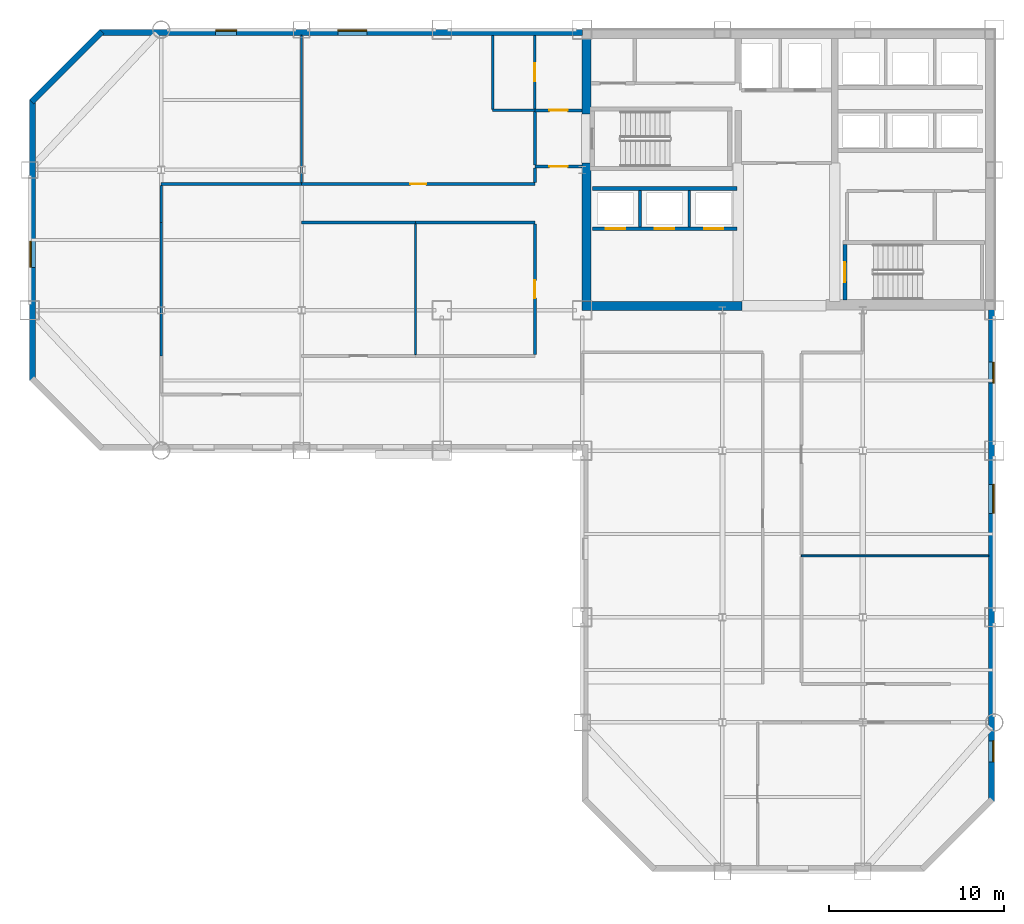
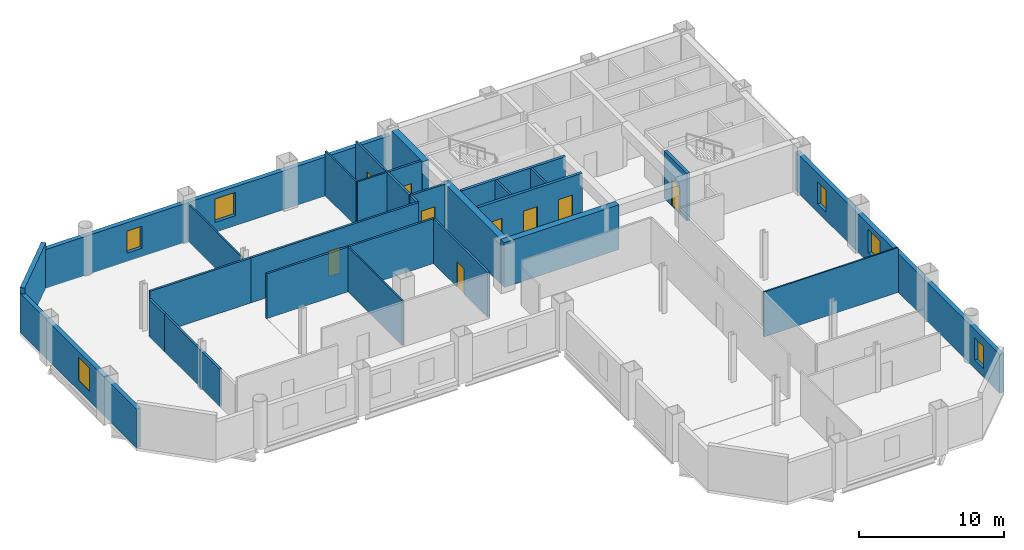
# One storey, part 6 of 9: 29 walls, 9 doors, 6 windows, 15 openings.
"""IFC4 building model written with IfcOpenShell, lengths in metres."""

from ifc_helpers import new_model, si_unit, direction, frame, frame_2d, origin, place, context, subcontext, project, spatial, rectangle, extrude, material, layer, layer_set, type_object, element, fill, save


model = new_model("IFC4")

# Units and contexts
model_context = context("Model", 3, precision=1e-05, world=origin(), true_north=direction((0.0, 1.0)))
body_context = subcontext(model_context, "Body", "Model", "MODEL_VIEW")
ifc_project = project(units=[si_unit("LENGTHUNIT", "METRE"), si_unit("AREAUNIT", "SQUARE_METRE"), si_unit("VOLUMEUNIT", "CUBIC_METRE"), si_unit("PLANEANGLEUNIT", "RADIAN"), si_unit("MASSUNIT", "GRAM", prefix="KILO")], contexts=[model_context])

# Site, building, storey
site_placement = place(None, origin())
site = spatial("IfcSite", under=ifc_project, at=site_placement, CompositionType="ELEMENT")
building_placement = place(site_placement, origin())
building = spatial("IfcBuilding", under=site, at=building_placement, Name="Qianrong Seaharbour Tower", CompositionType="ELEMENT")
storey_placement = place(building_placement, frame((0.0, 0.0, 147.0)))
storey = spatial("IfcBuildingStorey", under=building, at=storey_placement, Name="L35", CompositionType="ELEMENT", Elevation=147.0)

# Walls
ifc_material_1 = material(Name="Concrete C60/75", Category="concrete")
ifc_layer_1 = layer(ifc_material_1, 0.5)
ifc_layer_set_1 = layer_set([ifc_layer_1], Name="Concrete C60/75")
wall_type_1 = type_object("IfcWallType", Name="WALL-CORE-500", PredefinedType="SHEAR", material=ifc_layer_set_1)
wall_1_placement = place(storey_placement, frame((40.75, 36.5, 0.0), z_axis=(0.0, 0.0, 1.0), x_axis=(0.0, 1.0, 0.0)))
element("IfcWall", 1, at=wall_1_placement, inside=storey, type_object=wall_type_1, Name="L35 West Core Shear Wall South", PredefinedType="SHEAR", context=body_context, shape_type="SweptSolid", body=[
    extrude(rectangle(XDim=7.89990234375, YDim=0.5, at=frame_2d((3.949951171875, 0.0))), origin(), (0.0, 0.0, 1.0), 3.764892578125),
])
wall_2_placement = place(storey_placement, frame((40.75, 47.199951171875, 0.0), z_axis=(0.0, 0.0, 1.0), x_axis=(0.0, 1.0, 0.0)))
element("IfcWall", 2, at=wall_2_placement, inside=storey, type_object=wall_type_1, Name="L35 West Core Shear Wall North", PredefinedType="SHEAR", context=body_context, shape_type="SweptSolid", body=[
    extrude(rectangle(XDim=4.300048828125, YDim=0.5, at=frame_2d((2.14990234375, 0.0))), origin(), (0.0, 0.0, 1.0), 3.764892578125),
])
wall_3_placement = place(storey_placement, frame((40.5, 36.25, 0.0), z_axis=(0.0, 0.0, 1.0), x_axis=(1.0, 0.0, 0.0)))
element("IfcWall", 3, at=wall_3_placement, inside=storey, type_object=wall_type_1, Name="L35 South Core Shear Wall S1", PredefinedType="SHEAR", context=body_context, shape_type="SweptSolid", body=[
    extrude(rectangle(XDim=9.10009765625, YDim=0.5, at=frame_2d((4.550048828125, 0.0))), origin(), (0.0, 0.0, 1.0), 3.764892578125),
])

# Wall, opening, door
ifc_material_2 = material(Name="Fire-rated acoustic gypsum board partition")
ifc_layer_2 = layer(ifc_material_2, 0.1650390625)
ifc_layer_set_2 = layer_set([ifc_layer_2], Name="Fire-rated acoustic gypsum board partition")
wall_type_2 = type_object("IfcWallType", Name="WALL-CORR-PART-165", PredefinedType="PARTITIONING", material=ifc_layer_set_2)
wall_4_placement = place(storey_placement, frame((37.800048828125, 47.39990234375, 0.0), z_axis=(0.0, 0.0, 1.0), x_axis=(1.0, 0.0, 0.0)))
wall_4 = element("IfcWall", 4, at=wall_4_placement, inside=storey, type_object=wall_type_2, Name="L35 Interior Partition Wall 001", PredefinedType="PARTITIONING", context=body_context, shape_type="SweptSolid", body=[
    extrude(rectangle(XDim=2.699951171875, YDim=0.1650390625, at=frame_2d((1.35009765625, 0.0))), origin(), (0.0, 0.0, 1.0), 3.764892578125),
])
opening_1_placement = place(wall_4_placement, frame((0.824951171875, 0.0, 0.0)))
opening_1 = element("IfcOpeningElement", 5, at=opening_1_placement, cuts=wall_4, Name="Opening DC-01", PredefinedType="OPENING", context=body_context, shape_type="SweptSolid", body=[
    extrude(rectangle(XDim=1.050048828125, YDim=2.14990234375, at=frame_2d((0.52490234375, 1.074951171875))), frame((0.0, 0.092529296875, 0.0), z_axis=(0.0, -1.0, 0.0), x_axis=(1.0, 0.0, 0.0)), (0.0, 0.0, 1.0), 0.18505859375),
])
ifc_material_3 = material(Name="Acoustic timber and galvanized steel fire door assembly", Category="steel")
door_type_1 = type_object("IfcDoorType", Name="DOOR-CORR-FD60-1050x2150", OperationType="NOTDEFINED", PredefinedType="DOOR", material=ifc_material_3)
door_1_placement = place(opening_1_placement, origin())
door_1 = element("IfcDoor", 6, at=door_1_placement, inside=storey, type_object=door_type_1, Name="L35 Smokeproof Stair Vestibule ST-1 Door", OperationType="SINGLE_SWING_RIGHT", OverallHeight=2.14990234375, OverallWidth=1.050048828125, PredefinedType="DOOR", context=body_context, shape_type="SweptSolid", body=[
    extrude(rectangle(XDim=1.050048828125, YDim=2.14990234375, at=frame_2d((0.52490234375, 1.074951171875))), frame((0.0, 0.02490234375, 0.0), z_axis=(0.0, -1.0, 0.0), x_axis=(1.0, 0.0, 0.0)), (0.0, 0.0, 1.0), 0.050048828125),
])
fill(opening_1, door_1)

wall_5_placement = place(storey_placement, frame((40.5, 44.199951171875, 0.0), z_axis=(0.0, 0.0, 1.0), x_axis=(-1.0, 0.0, 0.0)))
wall_5 = element("IfcWall", 7, at=wall_5_placement, inside=storey, type_object=wall_type_2, Name="L35 Interior Partition Wall 002", PredefinedType="PARTITIONING", context=body_context, shape_type="SweptSolid", body=[
    extrude(rectangle(XDim=2.699951171875, YDim=0.1650390625, at=frame_2d((1.35009765625, 0.0))), origin(), (0.0, 0.0, 1.0), 3.764892578125),
])
opening_2_placement = place(wall_5_placement, frame((0.824951171875, 0.0, 0.0)))
opening_2 = element("IfcOpeningElement", 8, at=opening_2_placement, cuts=wall_5, Name="Opening DC-01", PredefinedType="OPENING", context=body_context, shape_type="SweptSolid", body=[
    extrude(rectangle(XDim=1.050048828125, YDim=2.14990234375, at=frame_2d((0.52490234375, 1.074951171875))), frame((0.0, 0.092529296875, 0.0), z_axis=(0.0, -1.0, 0.0), x_axis=(1.0, 0.0, 0.0)), (0.0, 0.0, 1.0), 0.18505859375),
])
door_2_placement = place(opening_2_placement, origin())
door_2 = element("IfcDoor", 9, at=door_2_placement, inside=storey, type_object=door_type_1, Name="L35 Smokeproof Stair Vestibule ST-1 Door", OperationType="SINGLE_SWING_LEFT", OverallHeight=2.14990234375, OverallWidth=1.050048828125, PredefinedType="DOOR", context=body_context, shape_type="SweptSolid", body=[
    extrude(rectangle(XDim=1.050048828125, YDim=2.14990234375, at=frame_2d((0.52490234375, 1.074951171875))), frame((0.0, 0.02490234375, 0.0), z_axis=(0.0, -1.0, 0.0), x_axis=(1.0, 0.0, 0.0)), (0.0, 0.0, 1.0), 0.050048828125),
])
fill(opening_2, door_2)

# Walls
wall_6_placement = place(storey_placement, frame((37.800048828125, 44.2744140625, 0.0), z_axis=(0.0, 0.0, 1.0), x_axis=(0.0, 1.0, 0.0)))
element("IfcWall", 10, at=wall_6_placement, inside=storey, type_object=wall_type_2, Name="L35 Interior Partition Wall 003", PredefinedType="PARTITIONING", context=body_context, shape_type="SweptSolid", body=[
    extrude(rectangle(XDim=3.051025390625, YDim=0.1650390625, at=frame_2d((1.525390625, 0.0))), origin(), (0.0, 0.0, 1.0), 3.764892578125),
])
wall_7_placement = place(storey_placement, frame((16.5, 41.0, 0.0), z_axis=(0.0, 0.0, 1.0), x_axis=(0.0, 1.0, 0.0)))
element("IfcWall", 11, at=wall_7_placement, inside=storey, type_object=wall_type_2, Name="L35 Interior Partition Wall 019", PredefinedType="PARTITIONING", context=body_context, shape_type="SweptSolid", body=[
    extrude(rectangle(XDim=2.12548828125, YDim=0.1650390625, at=frame_2d((1.062744140625, 0.0))), origin(), (0.0, 0.0, 1.0), 3.156982421875),
])
wall_8_placement = place(storey_placement, frame((16.5, 43.199951171875, 0.0), z_axis=(0.0, 0.0, 1.0), x_axis=(1.0, 0.0, 0.0)))
element("IfcWall", 12, at=wall_8_placement, inside=storey, type_object=wall_type_2, Name="L35 Interior Partition Wall 020", PredefinedType="PARTITIONING", context=body_context, shape_type="SweptSolid", body=[
    extrude(rectangle(XDim=8.0, YDim=0.1650390625, at=frame_2d((4.0, 0.0))), origin(), (0.0, 0.0, 1.0), 3.764892578125),
])

# Wall, opening, door
wall_9_placement = place(storey_placement, frame((24.5, 43.199951171875, 0.0), z_axis=(0.0, 0.0, 1.0), x_axis=(1.0, 0.0, 0.0)))
wall_9 = element("IfcWall", 13, at=wall_9_placement, inside=storey, type_object=wall_type_2, Name="L35 Interior Partition Wall 021", PredefinedType="PARTITIONING", context=body_context, shape_type="SweptSolid", body=[
    extrude(rectangle(XDim=13.300048828125, YDim=0.1650390625, at=frame_2d((6.64990234375, 0.0))), origin(), (0.0, 0.0, 1.0), 3.764892578125),
])
opening_3_placement = place(wall_9_placement, frame((6.199951171875, 0.0, 0.0)))
opening_3 = element("IfcOpeningElement", 14, at=opening_3_placement, cuts=wall_9, Name="Opening DS-01", PredefinedType="OPENING", context=body_context, shape_type="SweptSolid", body=[
    extrude(rectangle(XDim=0.89990234375, YDim=2.14990234375, at=frame_2d((0.449951171875, 1.074951171875))), frame((0.0, 0.092529296875, 0.0), z_axis=(0.0, -1.0, 0.0), x_axis=(1.0, 0.0, 0.0)), (0.0, 0.0, 1.0), 0.18505859375),
])
door_type_2 = type_object("IfcDoorType", Name="DOOR-STORE-900x2150", OperationType="NOTDEFINED", PredefinedType="DOOR", material=ifc_material_3)
door_3_placement = place(opening_3_placement, origin())
door_3 = element("IfcDoor", 15, at=door_3_placement, inside=storey, type_object=door_type_2, Name="L35 Corporate Archive Room Door", OperationType="SINGLE_SWING_LEFT", OverallHeight=2.14990234375, OverallWidth=0.89990234375, PredefinedType="DOOR", context=body_context, shape_type="SweptSolid", body=[
    extrude(rectangle(XDim=0.89990234375, YDim=2.14990234375, at=frame_2d((0.449951171875, 1.074951171875))), frame((0.0, 0.02490234375, 0.0), z_axis=(0.0, -1.0, 0.0), x_axis=(1.0, 0.0, 0.0)), (0.0, 0.0, 1.0), 0.050048828125),
])
fill(opening_3, door_3)

# Walls
wall_10_placement = place(storey_placement, frame((31.0, 41.0, 0.0), z_axis=(0.0, 0.0, 1.0), x_axis=(-1.0, 0.0, 0.0)))
element("IfcWall", 16, at=wall_10_placement, inside=storey, type_object=wall_type_2, Name="L35 Interior Partition Wall 022", PredefinedType="PARTITIONING", context=body_context, shape_type="SweptSolid", body=[
    extrude(rectangle(XDim=6.5, YDim=0.1650390625, at=frame_2d((3.25, 0.0))), origin(), (0.0, 0.0, 1.0), 3.764892578125),
])
wall_11_placement = place(storey_placement, frame((37.800048828125, 41.0, 0.0), z_axis=(0.0, 0.0, 1.0), x_axis=(-1.0, 0.0, 0.0)))
element("IfcWall", 17, at=wall_11_placement, inside=storey, type_object=wall_type_2, Name="L35 Interior Partition Wall 023", PredefinedType="PARTITIONING", context=body_context, shape_type="SweptSolid", body=[
    extrude(rectangle(XDim=6.800048828125, YDim=0.1650390625, at=frame_2d((3.39990234375, 0.0))), origin(), (0.0, 0.0, 1.0), 3.764892578125),
])
wall_12_placement = place(storey_placement, frame((16.5, 33.39990234375, 0.0), z_axis=(0.0, 0.0, 1.0), x_axis=(0.0, 1.0, 0.0)))
element("IfcWall", 18, at=wall_12_placement, inside=storey, type_object=wall_type_2, Name="L35 Interior Partition Wall 024", PredefinedType="PARTITIONING", context=body_context, shape_type="SweptSolid", body=[
    extrude(rectangle(XDim=7.60009765625, YDim=0.1650390625, at=frame_2d((3.800048828125, 0.0))), origin(), (0.0, 0.0, 1.0), 3.156982421875),
])
wall_13_placement = place(storey_placement, frame((37.800048828125, 43.2744140625, 0.0), z_axis=(0.0, 0.0, 1.0), x_axis=(0.0, 1.0, 0.0)))
element("IfcWall", 19, at=wall_13_placement, inside=storey, type_object=wall_type_2, Name="L35 Interior Partition Wall 025", PredefinedType="PARTITIONING", context=body_context, shape_type="SweptSolid", body=[
    extrude(rectangle(XDim=0.85107421875, YDim=0.1650390625, at=frame_2d((0.425537109375, 0.0))), origin(), (0.0, 0.0, 1.0), 3.764892578125),
])

# Wall, opening, door
wall_14_placement = place(storey_placement, frame((37.800048828125, 33.474609375, 0.0), z_axis=(0.0, 0.0, 1.0), x_axis=(0.0, 1.0, 0.0)))
wall_14 = element("IfcWall", 20, at=wall_14_placement, inside=storey, type_object=wall_type_2, Name="L35 Interior Partition Wall 026", PredefinedType="PARTITIONING", context=body_context, shape_type="SweptSolid", body=[
    extrude(rectangle(XDim=7.450927734375, YDim=0.1650390625, at=frame_2d((3.7255859375, 0.0))), origin(), (0.0, 0.0, 1.0), 3.764892578125),
])
opening_4_placement = place(wall_14_placement, frame((3.2255859375, 0.0, 0.0)))
opening_4 = element("IfcOpeningElement", 21, at=opening_4_placement, cuts=wall_14, Name="Opening DO-01", PredefinedType="OPENING", context=body_context, shape_type="SweptSolid", body=[
    extrude(rectangle(XDim=1.0, YDim=2.14990234375, at=frame_2d((0.5, 1.074951171875))), frame((0.0, 0.092529296875, 0.0), z_axis=(0.0, -1.0, 0.0), x_axis=(1.0, 0.0, 0.0)), (0.0, 0.0, 1.0), 0.18505859375),
])
door_type_3 = type_object("IfcDoorType", Name="DOOR-OFFICE-1000x2150", OperationType="NOTDEFINED", PredefinedType="DOOR", material=ifc_material_3)
door_4_placement = place(opening_4_placement, origin())
door_4 = element("IfcDoor", 22, at=door_4_placement, inside=storey, type_object=door_type_3, Name="L35 Digital Media Hall 2 Door", OperationType="SINGLE_SWING_LEFT", OverallHeight=2.14990234375, OverallWidth=1.0, PredefinedType="DOOR", context=body_context, shape_type="SweptSolid", body=[
    extrude(rectangle(XDim=1.0, YDim=2.14990234375, at=frame_2d((0.5, 1.074951171875))), frame((0.0, 0.02490234375, 0.0), z_axis=(0.0, -1.0, 0.0), x_axis=(1.0, 0.0, 0.0)), (0.0, 0.0, 1.0), 0.050048828125),
])
fill(opening_4, door_4)

# Walls
ifc_material_4 = material(Name="Demountable aluminium-framed acoustic office partition", Category="aluminium")
ifc_layer_3 = layer(ifc_material_4, 0.110107421875)
ifc_layer_set_3 = layer_set([ifc_layer_3], Name="Demountable aluminium-framed acoustic office partition")
wall_type_3 = type_object("IfcWallType", Name="WALL-DEMOUNT-110", PredefinedType="MOVABLE", material=ifc_layer_set_3)
wall_15_placement = place(storey_placement, frame((24.5, 51.66796875, 0.0), z_axis=(0.0, 0.0, 1.0), x_axis=(0.0, -1.0, 0.0)))
element("IfcWall", 23, at=wall_15_placement, inside=storey, type_object=wall_type_3, Name="L35 Interior Partition Wall 037", PredefinedType="MOVABLE", context=body_context, shape_type="SweptSolid", body=[
    extrude(rectangle(XDim=8.3935546875, YDim=0.110107421875, at=frame_2d((4.19677734375, 0.0))), origin(), (0.0, 0.0, 1.0), 3.156982421875),
])
wall_16_placement = place(storey_placement, frame((31.0, 40.925537109375, 0.0), z_axis=(0.0, 0.0, 1.0), x_axis=(0.0, -1.0, 0.0)))
element("IfcWall", 24, at=wall_16_placement, inside=storey, type_object=wall_type_3, Name="L35 Interior Partition Wall 038", PredefinedType="MOVABLE", context=body_context, shape_type="SweptSolid", body=[
    extrude(rectangle(XDim=7.450927734375, YDim=0.110107421875, at=frame_2d((3.7255859375, 0.0))), origin(), (0.0, 0.0, 1.0), 3.764892578125),
])
wall_17_placement = place(storey_placement, frame((63.66796875, 22.0, 0.0), z_axis=(0.0, 0.0, 1.0), x_axis=(-1.0, 0.0, 0.0)))
element("IfcWall", 25, at=wall_17_placement, inside=storey, type_object=wall_type_3, Name="L35 Interior Partition Wall 039", PredefinedType="MOVABLE", context=body_context, shape_type="SweptSolid", body=[
    extrude(rectangle(XDim=10.66796875, YDim=0.110107421875, at=frame_2d((5.333984375, 0.0))), origin(), (0.0, 0.0, 1.0), 3.764892578125),
])

# Wall, opening, window
ifc_material_5 = material(Name="Unitised buff brick on Precast concrete C45/55", Category="masonry")
ifc_layer_4 = layer(ifc_material_5, 0.340087890625)
ifc_layer_set_4 = layer_set([ifc_layer_4], Name="Unitised buff brick on Precast concrete C45/55")
wall_type_4 = type_object("IfcWallType", Name="WALL-EXT-BRICK-BUFF-340", PredefinedType="SOLIDWALL", material=ifc_layer_set_4)
wall_18_placement = place(storey_placement, frame((9.169921875, 32.0, 0.0), z_axis=(0.0, 0.0, 1.0), x_axis=(0.0, 1.0, 0.0)))
wall_18 = element("IfcWall", 26, at=wall_18_placement, inside=storey, type_object=wall_type_4, Name="L35 Exterior Masonry Facade Wall WEST_TIP", PredefinedType="SOLIDWALL", context=body_context, shape_type="SweptSolid", body=[
    extrude(rectangle(XDim=16.0, YDim=0.340087890625, at=frame_2d((8.0, 0.0))), origin(), (0.0, 0.0, 1.0), 3.264892578125),
])
opening_5_placement = place(wall_18_placement, frame((6.449951171875, 0.0, 0.85009765625)))
opening_5 = element("IfcOpeningElement", 27, at=opening_5_placement, cuts=wall_18, Name="Opening WN-03", PredefinedType="OPENING", context=body_context, shape_type="SweptSolid", body=[
    extrude(rectangle(XDim=1.5, YDim=1.949951171875, at=frame_2d((0.75, 0.97509765625))), frame((0.0, 0.18017578125, 0.0), z_axis=(0.0, -1.0, 0.0), x_axis=(1.0, 0.0, 0.0)), (0.0, 0.0, 1.0), 0.360107421875),
])
ifc_material_6 = material(Name="Insulated low-e double glazing in thermally broken aluminium 6063-T6 frame", Category="aluminium")
window_type_1 = type_object("IfcWindowType", Name="WIN-PUNCH-1500x1950", PartitioningType="DOUBLE_PANEL_VERTICAL", PredefinedType="WINDOW", material=ifc_material_6)
window_1_placement = place(opening_5_placement, origin())
window_1 = element("IfcWindow", 28, at=window_1_placement, inside=storey, type_object=window_type_1, Name="L35 Deep-Set Punched Window 03.02", OverallHeight=1.949951171875, OverallWidth=1.5, PartitioningType="DOUBLE_PANEL_VERTICAL", PredefinedType="WINDOW", context=body_context, shape_type="SweptSolid", body=[
    extrude(rectangle(XDim=1.5, YDim=1.949951171875, at=frame_2d((0.75, 0.97509765625))), frame((0.0, 0.150146484375, 0.0), z_axis=(0.0, -1.0, 0.0), x_axis=(1.0, 0.0, 0.0)), (0.0, 0.0, 1.0), 0.06005859375),
])
fill(opening_5, window_1)

# Wall
wall_19_placement = place(storey_placement, frame((9.1201171875, 47.8798828125, 0.0), z_axis=(0.0, 0.0, 1.0), x_axis=(0.707106781187, 0.707106781187, 0.0)))
element("IfcWall", 29, at=wall_19_placement, inside=storey, type_object=wall_type_4, Name="L35 Exterior Masonry Facade Wall E04", PredefinedType="SOLIDWALL", context=body_context, shape_type="SweptSolid", body=[
    extrude(rectangle(XDim=5.65673828125, YDim=0.340087890625, at=frame_2d((2.828369140625, 0.0))), origin(), (0.0, 0.0, 1.0), 3.764892578125),
])

# Wall, openings, windows
wall_20_placement = place(storey_placement, frame((13.0, 51.830078125, 0.0), z_axis=(0.0, 0.0, 1.0), x_axis=(1.0, 0.0, 0.0)))
wall_20 = element("IfcWall", 30, at=wall_20_placement, inside=storey, type_object=wall_type_4, Name="L35 Exterior Masonry Facade Wall NORTH_WING", PredefinedType="SOLIDWALL", context=body_context, shape_type="SweptSolid", body=[
    extrude(rectangle(XDim=27.52001953125, YDim=0.340087890625, at=frame_2d((13.760009765625, 0.0))), origin(), (0.0, 0.0, 1.0), 3.264892578125),
])
opening_6_placement = place(wall_20_placement, frame((6.60009765625, 0.0, 0.699951171875)))
opening_6 = element("IfcOpeningElement", 31, at=opening_6_placement, cuts=wall_20, Name="Opening WN-01", PredefinedType="OPENING", context=body_context, shape_type="SweptSolid", body=[
    extrude(rectangle(XDim=1.199951171875, YDim=1.85009765625, at=frame_2d((0.60009765625, 0.925048828125))), frame((0.0, 0.18017578125, 0.0), z_axis=(0.0, -1.0, 0.0), x_axis=(1.0, 0.0, 0.0)), (0.0, 0.0, 1.0), 0.360107421875),
])
opening_7_placement = place(wall_20_placement, frame((13.574951171875, 0.0, 0.85009765625)))
opening_7 = element("IfcOpeningElement", 32, at=opening_7_placement, cuts=wall_20, Name="Opening WN-04", PredefinedType="OPENING", context=body_context, shape_type="SweptSolid", body=[
    extrude(rectangle(XDim=1.64990234375, YDim=1.949951171875, at=frame_2d((0.824951171875, 0.97509765625))), frame((0.0, 0.18017578125, 0.0), z_axis=(0.0, -1.0, 0.0), x_axis=(1.0, 0.0, 0.0)), (0.0, 0.0, 1.0), 0.360107421875),
])
window_type_2 = type_object("IfcWindowType", Name="WIN-PUNCH-1200x1850", PartitioningType="DOUBLE_PANEL_VERTICAL", PredefinedType="WINDOW", material=ifc_material_6)
window_2_placement = place(opening_6_placement, origin())
window_2 = element("IfcWindow", 33, at=window_2_placement, inside=storey, type_object=window_type_2, Name="L35 Deep-Set Punched Window 05.02", OverallHeight=1.85009765625, OverallWidth=1.199951171875, PartitioningType="DOUBLE_PANEL_VERTICAL", PredefinedType="WINDOW", context=body_context, shape_type="SweptSolid", body=[
    extrude(rectangle(XDim=1.199951171875, YDim=1.85009765625, at=frame_2d((0.60009765625, 0.925048828125))), frame((0.0, 0.150146484375, 0.0), z_axis=(0.0, -1.0, 0.0), x_axis=(1.0, 0.0, 0.0)), (0.0, 0.0, 1.0), 0.06005859375),
])
fill(opening_6, window_2)
window_type_3 = type_object("IfcWindowType", Name="WIN-PUNCH-1650x1950", PartitioningType="DOUBLE_PANEL_VERTICAL", PredefinedType="WINDOW", material=ifc_material_6)
window_3_placement = place(opening_7_placement, origin())
window_3 = element("IfcWindow", 34, at=window_3_placement, inside=storey, type_object=window_type_3, Name="L35 Deep-Set Punched Window 05.04", OverallHeight=1.949951171875, OverallWidth=1.64990234375, PartitioningType="DOUBLE_PANEL_VERTICAL", PredefinedType="WINDOW", context=body_context, shape_type="SweptSolid", body=[
    extrude(rectangle(XDim=1.64990234375, YDim=1.949951171875, at=frame_2d((0.824951171875, 0.97509765625))), frame((0.0, 0.150146484375, 0.0), z_axis=(0.0, -1.0, 0.0), x_axis=(1.0, 0.0, 0.0)), (0.0, 0.0, 1.0), 0.06005859375),
])
fill(opening_7, window_3)

wall_21_placement = place(storey_placement, frame((63.830078125, 36.050048828125, 0.0), z_axis=(0.0, 0.0, 1.0), x_axis=(0.0, -1.0, 0.0)))
wall_21 = element("IfcWall", 35, at=wall_21_placement, inside=storey, type_object=wall_type_4, Name="L35 Exterior Masonry Facade Wall EAST_WING", PredefinedType="SOLIDWALL", context=body_context, shape_type="SweptSolid", body=[
    extrude(rectangle(XDim=28.050048828125, YDim=0.340087890625, at=frame_2d((14.02490234375, 0.0))), origin(), (0.0, 0.0, 1.0), 3.264892578125),
])
opening_8_placement = place(wall_21_placement, frame((3.0, 0.0, 0.699951171875)))
opening_8 = element("IfcOpeningElement", 36, at=opening_8_placement, cuts=wall_21, Name="Opening WN-01", PredefinedType="OPENING", context=body_context, shape_type="SweptSolid", body=[
    extrude(rectangle(XDim=1.199951171875, YDim=1.85009765625, at=frame_2d((0.60009765625, 0.925048828125))), frame((0.0, 0.18017578125, 0.0), z_axis=(0.0, -1.0, 0.0), x_axis=(1.0, 0.0, 0.0)), (0.0, 0.0, 1.0), 0.360107421875),
])
opening_9_placement = place(wall_21_placement, frame((9.97509765625, 0.0, 0.85009765625)))
opening_9 = element("IfcOpeningElement", 37, at=opening_9_placement, cuts=wall_21, Name="Opening WN-04", PredefinedType="OPENING", context=body_context, shape_type="SweptSolid", body=[
    extrude(rectangle(XDim=1.64990234375, YDim=1.949951171875, at=frame_2d((0.824951171875, 0.97509765625))), frame((0.0, 0.18017578125, 0.0), z_axis=(0.0, -1.0, 0.0), x_axis=(1.0, 0.0, 0.0)), (0.0, 0.0, 1.0), 0.360107421875),
])
opening_10_placement = place(wall_21_placement, frame((24.60009765625, 0.0, 0.699951171875)))
opening_10 = element("IfcOpeningElement", 38, at=opening_10_placement, cuts=wall_21, Name="Opening WN-01", PredefinedType="OPENING", context=body_context, shape_type="SweptSolid", body=[
    extrude(rectangle(XDim=1.199951171875, YDim=1.85009765625, at=frame_2d((0.60009765625, 0.925048828125))), frame((0.0, 0.18017578125, 0.0), z_axis=(0.0, -1.0, 0.0), x_axis=(1.0, 0.0, 0.0)), (0.0, 0.0, 1.0), 0.360107421875),
])
window_4_placement = place(opening_8_placement, origin())
window_4 = element("IfcWindow", 39, at=window_4_placement, inside=storey, type_object=window_type_2, Name="L35 Deep-Set Punched Window 06.01", OverallHeight=1.85009765625, OverallWidth=1.199951171875, PartitioningType="DOUBLE_PANEL_VERTICAL", PredefinedType="WINDOW", context=body_context, shape_type="SweptSolid", body=[
    extrude(rectangle(XDim=1.199951171875, YDim=1.85009765625, at=frame_2d((0.60009765625, 0.925048828125))), frame((0.0, 0.150146484375, 0.0), z_axis=(0.0, -1.0, 0.0), x_axis=(1.0, 0.0, 0.0)), (0.0, 0.0, 1.0), 0.06005859375),
])
fill(opening_8, window_4)
window_5_placement = place(opening_10_placement, origin())
window_5 = element("IfcWindow", 40, at=window_5_placement, inside=storey, type_object=window_type_2, Name="L35 Deep-Set Punched Window 06.07", OverallHeight=1.85009765625, OverallWidth=1.199951171875, PartitioningType="DOUBLE_PANEL_VERTICAL", PredefinedType="WINDOW", context=body_context, shape_type="SweptSolid", body=[
    extrude(rectangle(XDim=1.199951171875, YDim=1.85009765625, at=frame_2d((0.60009765625, 0.925048828125))), frame((0.0, 0.150146484375, 0.0), z_axis=(0.0, -1.0, 0.0), x_axis=(1.0, 0.0, 0.0)), (0.0, 0.0, 1.0), 0.06005859375),
])
fill(opening_10, window_5)
window_6_placement = place(opening_9_placement, origin())
window_6 = element("IfcWindow", 41, at=window_6_placement, inside=storey, type_object=window_type_3, Name="L35 Deep-Set Punched Window 06.03", OverallHeight=1.949951171875, OverallWidth=1.64990234375, PartitioningType="DOUBLE_PANEL_VERTICAL", PredefinedType="WINDOW", context=body_context, shape_type="SweptSolid", body=[
    extrude(rectangle(XDim=1.64990234375, YDim=1.949951171875, at=frame_2d((0.824951171875, 0.97509765625))), frame((0.0, 0.150146484375, 0.0), z_axis=(0.0, -1.0, 0.0), x_axis=(1.0, 0.0, 0.0)), (0.0, 0.0, 1.0), 0.06005859375),
])
fill(opening_9, window_6)

# Walls
ifc_material_7 = material(Name="Fire-rated gypsum board on steel studs", Category="steel")
ifc_layer_5 = layer(ifc_material_7, 0.14990234375)
ifc_layer_set_5 = layer_set([ifc_layer_5], Name="Fire-rated gypsum board on steel studs")
wall_type_5 = type_object("IfcWallType", Name="WALL-SHAFT-DIV-150", PredefinedType="PARTITIONING", material=ifc_layer_set_5)
for number, where, z_axis, x_axis, name in (
    (42, (43.800048828125, 40.760009765625, 0.0), (0.0, 0.0, 1.0), (0.0, 1.0, 0.0), "L35 P2 Lift Hoistway Divider 2"),
    (43, (46.60009765625, 40.760009765625, 0.0), (0.0, 0.0, 1.0), (0.0, 1.0, 0.0), "L35 P2 Lift Hoistway Divider 3"),
):
    element("IfcWall", number, at=place(storey_placement, frame(where, z_axis=z_axis, x_axis=x_axis)), inside=storey, type_object=wall_type_5, Name=name, PredefinedType="PARTITIONING", context=body_context, shape_type="SweptSolid", body=[
        extrude(rectangle(XDim=2.080078125, YDim=0.14990234375, at=frame_2d((1.0400390625, 0.0))), origin(), (0.0, 0.0, 1.0), 3.764892578125),
    ])

# Wall, openings, doors
ifc_layer_6 = layer(ifc_material_7, 0.219970703125)
ifc_layer_set_6 = layer_set([ifc_layer_6], Name="Fire-rated gypsum board on steel studs")
wall_type_6 = type_object("IfcWallType", Name="WALL-SHAFT-GYP220", PredefinedType="PARTITIONING", material=ifc_layer_set_6)
wall_22_placement = place(storey_placement, frame((49.320068359375, 40.64990234375, 0.0), z_axis=(0.0, 0.0, 1.0), x_axis=(-1.0, 0.0, 0.0)))
wall_22 = element("IfcWall", 44, at=wall_22_placement, inside=storey, type_object=wall_type_6, Name="L35 P2 Lift Hoistway Front Wall", PredefinedType="PARTITIONING", context=body_context, shape_type="SweptSolid", body=[
    extrude(rectangle(XDim=8.239990234375, YDim=0.219970703125, at=frame_2d((4.1201171875, 0.0))), origin(), (0.0, 0.0, 1.0), 3.764892578125),
])
opening_11_placement = place(wall_22_placement, frame((6.3701171875, 0.0, 0.0)))
opening_11 = element("IfcOpeningElement", 45, at=opening_11_placement, cuts=wall_22, Name="Opening LD-02", PredefinedType="OPENING", context=body_context, shape_type="SweptSolid", body=[
    extrude(rectangle(XDim=1.10009765625, YDim=2.199951171875, at=frame_2d((0.550048828125, 1.10009765625))), frame((0.0, 0.1201171875, 0.0), z_axis=(0.0, -1.0, 0.0), x_axis=(1.0, 0.0, 0.0)), (0.0, 0.0, 1.0), 0.239990234375),
])
opening_12_placement = place(wall_22_placement, frame((3.570068359375, 0.0, 0.0)))
opening_12 = element("IfcOpeningElement", 46, at=opening_12_placement, cuts=wall_22, Name="Opening LD-02", PredefinedType="OPENING", context=body_context, shape_type="SweptSolid", body=[
    extrude(rectangle(XDim=1.10009765625, YDim=2.199951171875, at=frame_2d((0.550048828125, 1.10009765625))), frame((0.0, 0.1201171875, 0.0), z_axis=(0.0, -1.0, 0.0), x_axis=(1.0, 0.0, 0.0)), (0.0, 0.0, 1.0), 0.239990234375),
])
opening_13_placement = place(wall_22_placement, frame((0.77001953125, 0.0, 0.0)))
opening_13 = element("IfcOpeningElement", 47, at=opening_13_placement, cuts=wall_22, Name="Opening LD-02", PredefinedType="OPENING", context=body_context, shape_type="SweptSolid", body=[
    extrude(rectangle(XDim=1.10009765625, YDim=2.199951171875, at=frame_2d((0.550048828125, 1.10009765625))), frame((0.0, 0.1201171875, 0.0), z_axis=(0.0, -1.0, 0.0), x_axis=(1.0, 0.0, 0.0)), (0.0, 0.0, 1.0), 0.239990234375),
])
ifc_material_8 = material(Name="Stainless steel SUS316L bi-parting lift landing door", Category="steel")
door_type_4 = type_object("IfcDoorType", Name="DOOR-LIFT-PASS-1100x2200", OperationType="DOUBLE_DOOR_SLIDING", PredefinedType="DOOR", material=ifc_material_8)
door_5_placement = place(opening_11_placement, origin())
door_5 = element("IfcDoor", 48, at=door_5_placement, inside=storey, type_object=door_type_4, Name="L35 PL-2A Lift Landing Door", OperationType="DOUBLE_DOOR_SLIDING", OverallHeight=2.199951171875, OverallWidth=1.10009765625, PredefinedType="DOOR", context=body_context, shape_type="SweptSolid", body=[
    extrude(rectangle(XDim=1.10009765625, YDim=2.199951171875, at=frame_2d((0.550048828125, 1.10009765625))), frame((0.0, 0.02490234375, 0.0), z_axis=(0.0, -1.0, 0.0), x_axis=(1.0, 0.0, 0.0)), (0.0, 0.0, 1.0), 0.050048828125),
])
fill(opening_11, door_5)
door_6_placement = place(opening_12_placement, origin())
door_6 = element("IfcDoor", 49, at=door_6_placement, inside=storey, type_object=door_type_4, Name="L35 PL-2B Lift Landing Door", OperationType="DOUBLE_DOOR_SLIDING", OverallHeight=2.199951171875, OverallWidth=1.10009765625, PredefinedType="DOOR", context=body_context, shape_type="SweptSolid", body=[
    extrude(rectangle(XDim=1.10009765625, YDim=2.199951171875, at=frame_2d((0.550048828125, 1.10009765625))), frame((0.0, 0.02490234375, 0.0), z_axis=(0.0, -1.0, 0.0), x_axis=(1.0, 0.0, 0.0)), (0.0, 0.0, 1.0), 0.050048828125),
])
fill(opening_12, door_6)
door_7_placement = place(opening_13_placement, origin())
door_7 = element("IfcDoor", 50, at=door_7_placement, inside=storey, type_object=door_type_4, Name="L35 PL-2C Lift Landing Door", OperationType="DOUBLE_DOOR_SLIDING", OverallHeight=2.199951171875, OverallWidth=1.10009765625, PredefinedType="DOOR", context=body_context, shape_type="SweptSolid", body=[
    extrude(rectangle(XDim=1.10009765625, YDim=2.199951171875, at=frame_2d((0.550048828125, 1.10009765625))), frame((0.0, 0.02490234375, 0.0), z_axis=(0.0, -1.0, 0.0), x_axis=(1.0, 0.0, 0.0)), (0.0, 0.0, 1.0), 0.050048828125),
])
fill(opening_13, door_7)

# Wall
wall_23_placement = place(storey_placement, frame((41.080078125, 42.949951171875, 0.0), z_axis=(0.0, 0.0, 1.0), x_axis=(1.0, 0.0, 0.0)))
element("IfcWall", 51, at=wall_23_placement, inside=storey, type_object=wall_type_6, Name="L35 P2 Lift Hoistway Back Wall", PredefinedType="PARTITIONING", context=body_context, shape_type="SweptSolid", body=[
    extrude(rectangle(XDim=8.239990234375, YDim=0.219970703125, at=frame_2d((4.1201171875, 0.0))), origin(), (0.0, 0.0, 1.0), 3.764892578125),
])

# Wall, opening, door
ifc_material_9 = material(Name="Concrete C50/60", Category="concrete")
ifc_layer_7 = layer(ifc_material_9, 0.239990234375)
ifc_layer_set_7 = layer_set([ifc_layer_7], Name="Concrete C50/60")
wall_type_7 = type_object("IfcWallType", Name="WALL-SHAFT-RC240", PredefinedType="SOLIDWALL", material=ifc_layer_set_7)
wall_24_placement = place(storey_placement, frame((55.47998046875, 39.75, 0.0), z_axis=(0.0, 0.0, 1.0), x_axis=(0.0, -1.0, 0.0)))
wall_24 = element("IfcWall", 52, at=wall_24_placement, inside=storey, type_object=wall_type_7, Name="L35 ST-2 Structural Stair Core Wall W", PredefinedType="SOLIDWALL", context=body_context, shape_type="SweptSolid", body=[
    extrude(rectangle(XDim=3.14990234375, YDim=0.239990234375, at=frame_2d((1.574951171875, 0.0))), origin(), (0.0, 0.0, 1.0), 4.0),
])
opening_14_placement = place(wall_24_placement, frame((1.0, 0.0, 0.0)))
opening_14 = element("IfcOpeningElement", 53, at=opening_14_placement, cuts=wall_24, Name="Opening SD-01", PredefinedType="OPENING", context=body_context, shape_type="SweptSolid", body=[
    extrude(rectangle(XDim=1.14990234375, YDim=2.199951171875, at=frame_2d((0.574951171875, 1.10009765625))), frame((0.0, 0.1298828125, 0.0), z_axis=(0.0, -1.0, 0.0), x_axis=(1.0, 0.0, 0.0)), (0.0, 0.0, 1.0), 0.260009765625),
])
door_type_5 = type_object("IfcDoorType", Name="DOOR-STAIR-FD60-1150x2200", OperationType="NOTDEFINED", PredefinedType="DOOR", material=ifc_material_3)
door_8_placement = place(opening_14_placement, origin())
door_8 = element("IfcDoor", 54, at=door_8_placement, inside=storey, type_object=door_type_5, Name="L35 ST-2 Protected Stair Door", OperationType="SINGLE_SWING_RIGHT", OverallHeight=2.199951171875, OverallWidth=1.14990234375, PredefinedType="DOOR", context=body_context, shape_type="SweptSolid", body=[
    extrude(rectangle(XDim=1.14990234375, YDim=2.199951171875, at=frame_2d((0.574951171875, 1.10009765625))), frame((0.0, 0.02490234375, 0.0), z_axis=(0.0, -1.0, 0.0), x_axis=(1.0, 0.0, 0.0)), (0.0, 0.0, 1.0), 0.050048828125),
])
fill(opening_14, door_8)

ifc_material_10 = material(Name="Water-resistant cement board sanitary partition")
ifc_layer_8 = layer(ifc_material_10, 0.1298828125)
ifc_layer_set_8 = layer_set([ifc_layer_8], Name="Water-resistant cement board sanitary partition")
wall_type_8 = type_object("IfcWallType", Name="WALL-WET-PART-130", PredefinedType="PARTITIONING", material=ifc_layer_set_8)
wall_25_placement = place(storey_placement, frame((37.800048828125, 47.474609375, 0.0), z_axis=(0.0, 0.0, 1.0), x_axis=(0.0, 1.0, 0.0)))
wall_25 = element("IfcWall", 55, at=wall_25_placement, inside=storey, type_object=wall_type_8, Name="L35 Interior Partition Wall 004", PredefinedType="PARTITIONING", context=body_context, shape_type="SweptSolid", body=[
    extrude(rectangle(XDim=4.193359375, YDim=0.1298828125, at=frame_2d((2.0966796875, 0.0))), origin(), (0.0, 0.0, 1.0), 3.764892578125),
])
opening_15_placement = place(wall_25_placement, frame((1.5869140625, 0.0, 0.0)))
opening_15 = element("IfcOpeningElement", 56, at=opening_15_placement, cuts=wall_25, Name="Opening DAW-01", PredefinedType="OPENING", context=body_context, shape_type="SweptSolid", body=[
    extrude(rectangle(XDim=1.02001953125, YDim=2.14990234375, at=frame_2d((0.510009765625, 1.074951171875))), frame((0.0, 0.074951171875, 0.0), z_axis=(0.0, -1.0, 0.0), x_axis=(1.0, 0.0, 0.0)), (0.0, 0.0, 1.0), 0.14990234375),
])
door_type_6 = type_object("IfcDoorType", Name="DOOR-AWC-SLIDE-1020x2150", OperationType="SLIDING_TO_LEFT", PredefinedType="DOOR", material=ifc_material_3)
door_9_placement = place(opening_15_placement, origin())
door_9 = element("IfcDoor", 57, at=door_9_placement, inside=storey, type_object=door_type_6, Name="L35 Accessible Restroom WC Door", OperationType="SLIDING_TO_LEFT", OverallHeight=2.14990234375, OverallWidth=1.02001953125, PredefinedType="DOOR", context=body_context, shape_type="SweptSolid", body=[
    extrude(rectangle(XDim=1.02001953125, YDim=2.14990234375, at=frame_2d((0.510009765625, 1.074951171875))), frame((0.0, 0.02490234375, 0.0), z_axis=(0.0, -1.0, 0.0), x_axis=(1.0, 0.0, 0.0)), (0.0, 0.0, 1.0), 0.050048828125),
])
fill(opening_15, door_9)

# Walls
wall_26_placement = place(storey_placement, frame((37.800048828125, 47.39990234375, 0.0), z_axis=(0.0, 0.0, 1.0), x_axis=(-1.0, 0.0, 0.0)))
element("IfcWall", 58, at=wall_26_placement, inside=storey, type_object=wall_type_8, Name="L35 Interior Partition Wall 005", PredefinedType="PARTITIONING", context=body_context, shape_type="SweptSolid", body=[
    extrude(rectangle(XDim=2.400146484375, YDim=0.1298828125, at=frame_2d((1.2001953125, 0.0))), origin(), (0.0, 0.0, 1.0), 3.764892578125),
])
wall_27_placement = place(storey_placement, frame((35.39990234375, 47.45703125, 0.0), z_axis=(0.0, 0.0, 1.0), x_axis=(0.0, 1.0, 0.0)))
element("IfcWall", 59, at=wall_27_placement, inside=storey, type_object=wall_type_8, Name="L35 Interior Partition Wall 006", PredefinedType="PARTITIONING", context=body_context, shape_type="SweptSolid", body=[
    extrude(rectangle(XDim=4.2109375, YDim=0.1298828125, at=frame_2d((2.10546875, 0.0))), origin(), (0.0, 0.0, 1.0), 3.764892578125),
])

save(model, "model.ifc")
